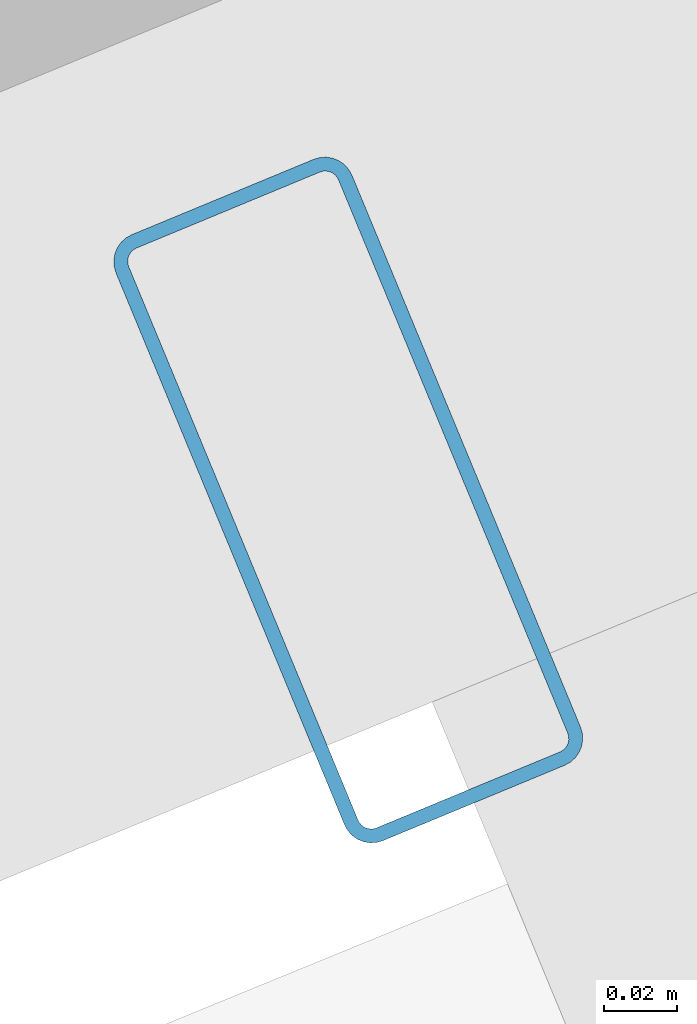
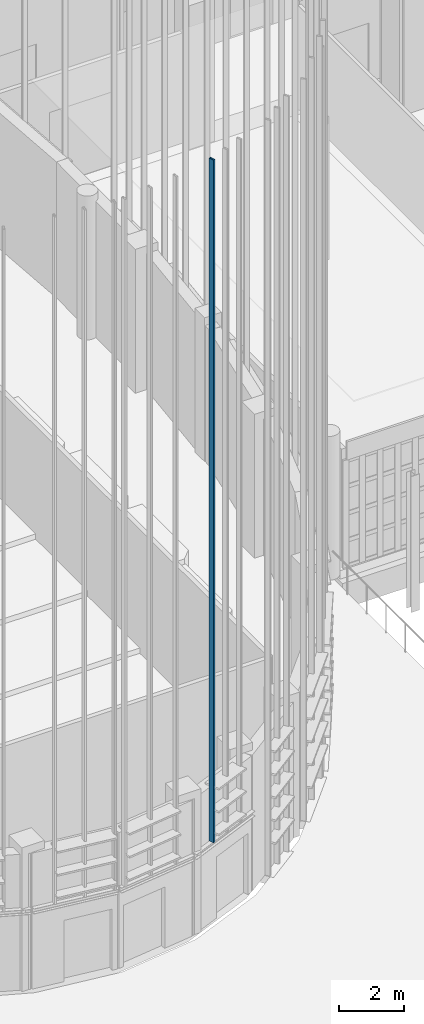
# One storey, part 41 of 372: 1 member.
"""IFC4 building model written with IfcOpenShell, lengths in metres."""

from ifc_helpers import new_model, si_unit, direction, frame, origin, origin_2d, place, context, subcontext, project, spatial, hollow_rectangle, extrude, material, material_profile, profile_set, type_object, element, save


model = new_model("IFC4")

# Units and contexts
model_context = context("Model", 3, precision=1e-05, world=origin(), true_north=direction((0.0, 1.0)))
body_context = subcontext(model_context, "Body", "Model", "MODEL_VIEW")
ifc_project = project(units=[si_unit("LENGTHUNIT", "METRE"), si_unit("AREAUNIT", "SQUARE_METRE"), si_unit("VOLUMEUNIT", "CUBIC_METRE"), si_unit("PLANEANGLEUNIT", "RADIAN"), si_unit("MASSUNIT", "GRAM", prefix="KILO")], contexts=[model_context])

# Site, building, storey
site_placement = place(None, origin())
site = spatial("IfcSite", under=ifc_project, at=site_placement, CompositionType="ELEMENT")
building_placement = place(site_placement, origin())
building = spatial("IfcBuilding", under=site, at=building_placement, Name="Kaelora Sail Theatre", CompositionType="ELEMENT")
storey_placement = place(building_placement, origin())
storey = spatial("IfcBuildingStorey", under=building, at=storey_placement, Name="L00", CompositionType="ELEMENT", Elevation=0.0)

# Member
ifc_material = material(Name="Anodised aluminium 6063-T6", Category="aluminium")
ifc_material_profile = material_profile(ifc_material, hollow_rectangle(XDim=0.070068359375, YDim=0.179931640625, WallThickness=0.00390625, InnerFilletRadius=0.00390625, OuterFilletRadius=0.008056640625, at=origin_2d()), Name="ALU-MULL 70x180x4")
ifc_profile_set = profile_set([ifc_material_profile], Name="Anodised aluminium 6063-T6")
member_type = type_object("IfcMemberType", Name="ARC-MEM-PST-160", PredefinedType="POST", material=ifc_profile_set)
member_placement = place(storey_placement, frame((45.701416015625, 24.263671875, 3.10009765625), z_axis=(0.0, 0.0, 1.0), x_axis=(-0.923879532511, -0.382683432365, 0.0)))
element("IfcMember", 1, at=member_placement, inside=storey, type_object=member_type, Name="Main Theatre Sail Drum solar louvre vertical support post C10-3", PredefinedType="POST", context=body_context, shape_type="SweptSolid", body=[
    extrude(hollow_rectangle(XDim=0.070068359375, YDim=0.179931640625, WallThickness=0.00390625, InnerFilletRadius=0.00390625, OuterFilletRadius=0.008056640625, at=origin_2d()), origin(), (0.0, 0.0, 1.0), 25.63330078125),
])

save(model, "model.ifc")
